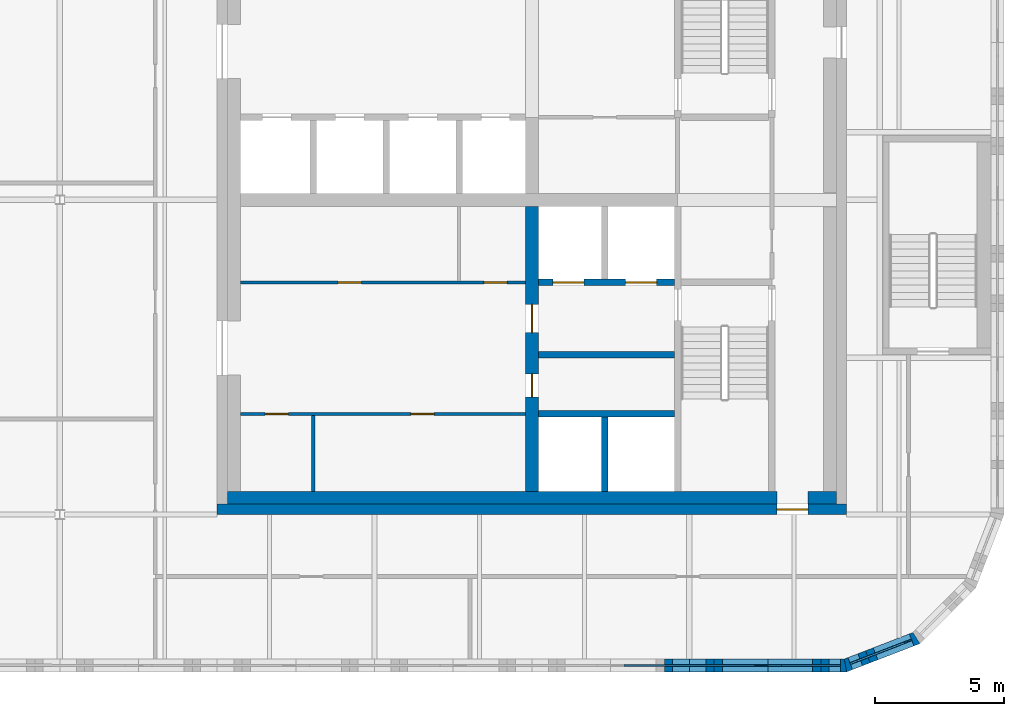
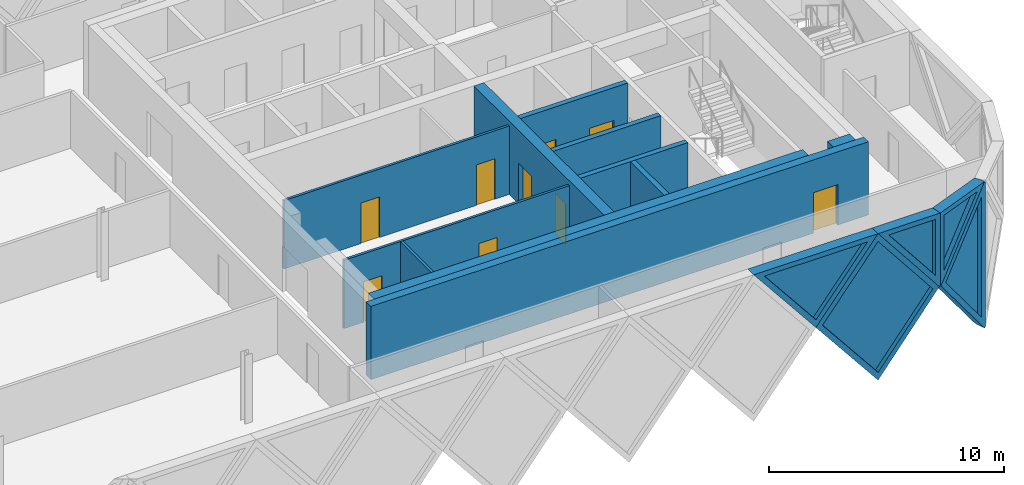
# One storey, part 6 of 12: 16 walls, 9 doors, 5 plates, 14 openings.
"""IFC4 building model written with IfcOpenShell, lengths in metres."""

from ifc_helpers import new_model, si_unit, direction, frame, frame_2d, origin, place, context, subcontext, project, spatial, polyline, rectangle, outline, extrude, faceted_brep, source, transform, mapped, material, layer, layer_set, type_object, element, fill, save


model = new_model("IFC4")

# Units and contexts
model_context = context("Model", 3, precision=1e-05, world=origin(), true_north=direction((0.0, 1.0)))
body_context = subcontext(model_context, "Body", "Model", "MODEL_VIEW")
ifc_project = project(units=[si_unit("LENGTHUNIT", "METRE"), si_unit("AREAUNIT", "SQUARE_METRE"), si_unit("VOLUMEUNIT", "CUBIC_METRE"), si_unit("PLANEANGLEUNIT", "RADIAN"), si_unit("MASSUNIT", "GRAM", prefix="KILO")], contexts=[model_context])

# Site, building, storey
site_placement = place(None, origin())
site = spatial("IfcSite", under=ifc_project, at=site_placement, CompositionType="ELEMENT")
building_placement = place(site_placement, origin())
building = spatial("IfcBuilding", under=site, at=building_placement, Name="Tessera Gate Towers", CompositionType="ELEMENT")
storey_placement = place(building_placement, frame((0.0, 0.0, 255.89990234375)))
storey = spatial("IfcBuildingStorey", under=building, at=storey_placement, Name="L64", CompositionType="ELEMENT", Elevation=255.89990234375)

# Wall, openings, doors
ifc_material_1 = material(Name="Concrete C40/50", Category="concrete")
ifc_layer_1 = layer(ifc_material_1, 0.25)
ifc_layer_set_1 = layer_set([ifc_layer_1], Name="CORE ENCLOSURE WALL 250")
wall_type_1 = type_object("IfcWallType", Name="CORE ENCLOSURE WALL 250", PredefinedType="SOLIDWALL", material=ifc_layer_set_1)
wall_1_placement = place(storey_placement, frame((48.22509765625, 33.39990234375, 0.0), z_axis=(0.0, 0.0, 1.0), x_axis=(-1.0, 0.0, 0.0)))
wall_1 = element("IfcWall", 1, at=wall_1_placement, inside=storey, type_object=wall_type_1, Name="L64 shaft and stair enclosure wall", PredefinedType="SOLIDWALL", context=body_context, shape_type="SweptSolid", body=[
    extrude(rectangle(XDim=5.275146484375, YDim=0.25, at=frame_2d((2.6376953125, 0.0))), origin(), (0.0, 0.0, 1.0), 3.800048828125),
])
shared_shape_1 = source(origin(), body_context, "Body", "SweptSolid", [
    extrude(rectangle(XDim=1.199951171875, YDim=2.10009765625, at=frame_2d((0.60009765625, 1.050048828125))), frame((0.0, 0.135009765625, 0.0), z_axis=(0.0, -1.0, 0.0), x_axis=(1.0, 0.0, 0.0)), (0.0, 0.0, 1.0), 0.27001953125),
])
opening_1_placement = place(wall_1_placement, frame((3.512451171875, 0.0, 0.0)))
opening_1 = element("IfcOpeningElement", 2, at=opening_1_placement, cuts=wall_1, Name="Opening LD-FF1", PredefinedType="OPENING", context=body_context, shape_type="MappedRepresentation", body=[
    mapped(shared_shape_1, transform((0.0, 0.0, 0.0), scale=1.0)),
])
opening_2_placement = place(wall_1_placement, frame((0.6875, 0.0, 0.0)))
opening_2 = element("IfcOpeningElement", 3, at=opening_2_placement, cuts=wall_1, Name="Opening LD-FF2", PredefinedType="OPENING", context=body_context, shape_type="MappedRepresentation", body=[
    mapped(shared_shape_1, transform((0.0, 0.0, 0.0), scale=1.0)),
])
ifc_material_2 = material(Name="Stainless steel", Category="steel")
door_type_1 = type_object("IfcDoorType", Name="CORE DOOR LD1200 1200x2100", OperationType="DOUBLE_DOOR_SLIDING", PredefinedType="DOOR", material=ifc_material_2)
shared_shape_2 = source(origin(), body_context, "Body", "SweptSolid", [
    extrude(rectangle(XDim=1.199951171875, YDim=2.10009765625, at=frame_2d((0.60009765625, 1.050048828125))), frame((0.0, 0.02490234375, 0.0), z_axis=(0.0, -1.0, 0.0), x_axis=(1.0, 0.0, 0.0)), (0.0, 0.0, 1.0), 0.050048828125),
])
door_1_placement = place(opening_1_placement, origin())
door_1 = element("IfcDoor", 4, at=door_1_placement, inside=storey, type_object=door_type_1, Name="Landing door FF1 L64", OperationType="DOUBLE_DOOR_SLIDING", OverallHeight=2.10009765625, OverallWidth=1.199951171875, PredefinedType="DOOR", context=body_context, shape_type="MappedRepresentation", body=[
    mapped(shared_shape_2, transform((0.0, 0.0, 0.0), scale=1.0)),
])
fill(opening_1, door_1)
door_2_placement = place(opening_2_placement, origin())
door_2 = element("IfcDoor", 5, at=door_2_placement, inside=storey, type_object=door_type_1, Name="Landing door FF2 L64", OperationType="DOUBLE_DOOR_SLIDING", OverallHeight=2.10009765625, OverallWidth=1.199951171875, PredefinedType="DOOR", context=body_context, shape_type="MappedRepresentation", body=[
    mapped(shared_shape_2, transform((0.0, 0.0, 0.0), scale=1.0)),
])
fill(opening_2, door_2)

# Walls
for number, where, z_axis, x_axis, name in (
    (6, (42.949951171875, 28.300048828125, 0.0), (0.0, 0.0, 1.0), (1.0, 0.0, 0.0), "L64 shaft and stair enclosure wall"),
    (7, (42.949951171875, 30.60009765625, 0.0), (0.0, 0.0, 1.0), (1.0, 0.0, 0.0), "L64 shaft and stair enclosure wall"),
):
    element("IfcWall", number, at=place(storey_placement, frame(where, z_axis=z_axis, x_axis=x_axis)), inside=storey, type_object=wall_type_1, Name=name, PredefinedType="SOLIDWALL", context=body_context, shape_type="SweptSolid", body=[
        extrude(rectangle(XDim=5.275146484375, YDim=0.25, at=frame_2d((2.6376953125, 0.0))), origin(), (0.0, 0.0, 1.0), 3.800048828125),
    ])
wall_2_placement = place(storey_placement, frame((45.52490234375, 25.300048828125, 0.0), z_axis=(0.0, 0.0, 1.0), x_axis=(0.0, 1.0, 0.0)))
element("IfcWall", 8, at=wall_2_placement, inside=storey, type_object=wall_type_1, Name="L64 shaft and stair enclosure wall", PredefinedType="SOLIDWALL", context=body_context, shape_type="SweptSolid", body=[
    extrude(rectangle(XDim=2.875, YDim=0.25, at=frame_2d((1.4375, 0.0))), origin(), (0.0, 0.0, 1.0), 3.800048828125),
])

# Wall, openings, doors
ifc_material_3 = material(Name="Gypsum board on steel studs", Category="steel")
ifc_layer_2 = layer(ifc_material_3, 0.1201171875)
ifc_layer_set_2 = layer_set([ifc_layer_2], Name="CORE PARTITION 120")
wall_type_2 = type_object("IfcWallType", Name="CORE PARTITION 120", PredefinedType="PARTITIONING", material=ifc_layer_set_2)
wall_3_placement = place(storey_placement, frame((42.449951171875, 28.300048828125, 0.0), z_axis=(0.0, 0.0, 1.0), x_axis=(-1.0, 0.0, 0.0)))
wall_3 = element("IfcWall", 9, at=wall_3_placement, inside=storey, type_object=wall_type_2, Name="L64 core partition", PredefinedType="PARTITIONING", context=body_context, shape_type="SweptSolid", body=[
    extrude(rectangle(XDim=11.050048828125, YDim=0.1201171875, at=frame_2d((5.52490234375, 0.0))), origin(), (0.0, 0.0, 1.0), 3.550048828125),
])
shared_shape_3 = source(origin(), body_context, "Body", "SweptSolid", [
    extrude(rectangle(XDim=0.89990234375, YDim=2.10009765625, at=frame_2d((0.449951171875, 1.050048828125))), frame((0.0, 0.070068359375, 0.0), z_axis=(0.0, -1.0, 0.0), x_axis=(1.0, 0.0, 0.0)), (0.0, 0.0, 1.0), 0.14013671875),
])
opening_3_placement = place(wall_3_placement, frame((9.1875, 0.0, 0.0)))
opening_3 = element("IfcOpeningElement", 10, at=opening_3_placement, cuts=wall_3, Name="Opening RD-T1-38-07", PredefinedType="OPENING", context=body_context, shape_type="MappedRepresentation", body=[
    mapped(shared_shape_3, transform((0.0, 0.0, 0.0), scale=1.0)),
])
opening_4_placement = place(wall_3_placement, frame((3.53759765625, 0.0, 0.0)))
opening_4 = element("IfcOpeningElement", 11, at=opening_4_placement, cuts=wall_3, Name="Opening RD-T1-38-08", PredefinedType="OPENING", context=body_context, shape_type="MappedRepresentation", body=[
    mapped(shared_shape_3, transform((0.0, 0.0, 0.0), scale=1.0)),
])
ifc_material_4 = material(Name="Hollow steel fire door", Category="steel")
door_type_2 = type_object("IfcDoorType", Name="CORE DOOR RD 900x2100", OperationType="NOTDEFINED", PredefinedType="DOOR", material=ifc_material_4)
shared_shape_4 = source(origin(), body_context, "Body", "SweptSolid", [
    extrude(rectangle(XDim=0.89990234375, YDim=2.10009765625, at=frame_2d((0.449951171875, 1.050048828125))), frame((0.0, 0.02490234375, 0.0), z_axis=(0.0, -1.0, 0.0), x_axis=(1.0, 0.0, 0.0)), (0.0, 0.0, 1.0), 0.050048828125),
])
door_3_placement = place(opening_3_placement, origin())
door_3 = element("IfcDoor", 12, at=door_3_placement, inside=storey, type_object=door_type_2, Name="Core room door", OperationType="SINGLE_SWING_RIGHT", OverallHeight=2.10009765625, OverallWidth=0.89990234375, PredefinedType="DOOR", context=body_context, shape_type="MappedRepresentation", body=[
    mapped(shared_shape_4, transform((0.0, 0.0, 0.0), scale=1.0)),
])
fill(opening_3, door_3)
door_4_placement = place(opening_4_placement, origin())
door_4 = element("IfcDoor", 13, at=door_4_placement, inside=storey, type_object=door_type_2, Name="Core room door", OperationType="SINGLE_SWING_LEFT", OverallHeight=2.10009765625, OverallWidth=0.89990234375, PredefinedType="DOOR", context=body_context, shape_type="MappedRepresentation", body=[
    mapped(shared_shape_4, transform((0.0, 0.0, 0.0), scale=1.0)),
])
fill(opening_4, door_4)

wall_4_placement = place(storey_placement, frame((31.39990234375, 33.39990234375, 0.0), z_axis=(0.0, 0.0, 1.0), x_axis=(1.0, 0.0, 0.0)))
wall_4 = element("IfcWall", 14, at=wall_4_placement, inside=storey, type_object=wall_type_2, Name="L64 core partition", PredefinedType="PARTITIONING", context=body_context, shape_type="SweptSolid", body=[
    extrude(rectangle(XDim=11.050048828125, YDim=0.1201171875, at=frame_2d((5.52490234375, 0.0))), origin(), (0.0, 0.0, 1.0), 3.550048828125),
])
opening_5_placement = place(wall_4_placement, frame((3.78759765625, 0.0, 0.0)))
opening_5 = element("IfcOpeningElement", 15, at=opening_5_placement, cuts=wall_4, Name="Opening RD-T1-38-09", PredefinedType="OPENING", context=body_context, shape_type="MappedRepresentation", body=[
    mapped(shared_shape_3, transform((0.0, 0.0, 0.0), scale=1.0)),
])
opening_6_placement = place(wall_4_placement, frame((9.4375, 0.0, 0.0)))
opening_6 = element("IfcOpeningElement", 16, at=opening_6_placement, cuts=wall_4, Name="Opening RD-T1-38-10", PredefinedType="OPENING", context=body_context, shape_type="MappedRepresentation", body=[
    mapped(shared_shape_3, transform((0.0, 0.0, 0.0), scale=1.0)),
])
door_5_placement = place(opening_5_placement, origin())
door_5 = element("IfcDoor", 17, at=door_5_placement, inside=storey, type_object=door_type_2, Name="Core room door", OperationType="SINGLE_SWING_LEFT", OverallHeight=2.10009765625, OverallWidth=0.89990234375, PredefinedType="DOOR", context=body_context, shape_type="MappedRepresentation", body=[
    mapped(shared_shape_4, transform((0.0, 0.0, 0.0), scale=1.0)),
])
fill(opening_5, door_5)
door_6_placement = place(opening_6_placement, origin())
door_6 = element("IfcDoor", 18, at=door_6_placement, inside=storey, type_object=door_type_2, Name="Core room door", OperationType="SINGLE_SWING_RIGHT", OverallHeight=2.10009765625, OverallWidth=0.89990234375, PredefinedType="DOOR", context=body_context, shape_type="MappedRepresentation", body=[
    mapped(shared_shape_4, transform((0.0, 0.0, 0.0), scale=1.0)),
])
fill(opening_6, door_6)

# Wall
wall_5_placement = place(storey_placement, frame((34.22509765625, 25.300048828125, 0.0), z_axis=(0.0, 0.0, 1.0), x_axis=(0.0, 1.0, 0.0)))
element("IfcWall", 19, at=wall_5_placement, inside=storey, type_object=wall_type_2, Name="L64 core partition", PredefinedType="PARTITIONING", context=body_context, shape_type="SweptSolid", body=[
    extrude(rectangle(XDim=2.93994140625, YDim=0.1201171875, at=frame_2d((1.469970703125, 0.0))), origin(), (0.0, 0.0, 1.0), 3.550048828125),
])

# Wall, opening, door
ifc_material_5 = material(Name="Concrete C40/50", Category="concrete")
ifc_layer_3 = layer(ifc_material_5, 0.39990234375)
ifc_layer_set_3 = layer_set([ifc_layer_3], Name="CORE SHEAR WALL 400 C40/50")
wall_type_3 = type_object("IfcWallType", Name="CORE SHEAR WALL 400 C40/50", PredefinedType="SHEAR", material=ifc_layer_set_3)
wall_6_placement = place(storey_placement, frame((54.89990234375, 24.60009765625, 0.0), z_axis=(0.0, 0.0, 1.0), x_axis=(-1.0, 0.0, 0.0)))
wall_6 = element("IfcWall", 20, at=wall_6_placement, inside=storey, type_object=wall_type_3, Name="Core wall S L64", PredefinedType="SHEAR", context=body_context, shape_type="SweptSolid", body=[
    extrude(rectangle(XDim=24.39990234375, YDim=0.39990234375, at=frame_2d((12.199951171875, 0.0))), origin(), (0.0, 0.0, 1.0), 3.800048828125),
])
shared_shape_5 = source(origin(), body_context, "Body", "SweptSolid", [
    extrude(rectangle(XDim=1.199951171875, YDim=2.10009765625, at=frame_2d((0.60009765625, 1.050048828125))), frame((0.0, 0.2099609375, 0.0), z_axis=(0.0, -1.0, 0.0), x_axis=(1.0, 0.0, 0.0)), (0.0, 0.0, 1.0), 0.419921875),
])
opening_7_placement = place(wall_6_placement, frame((1.5, 0.0, 0.0)))
opening_7 = element("IfcOpeningElement", 21, at=opening_7_placement, cuts=wall_6, Name="Opening ED-T1-38-01", PredefinedType="OPENING", context=body_context, shape_type="MappedRepresentation", body=[
    mapped(shared_shape_5, transform((0.0, 0.0, 0.0), scale=1.0)),
])
ifc_material_6 = material(Name="Hollow steel fire door", Category="steel")
door_type_3 = type_object("IfcDoorType", Name="CORE DOOR ED 1200x2100", OperationType="NOTDEFINED", PredefinedType="DOOR", material=ifc_material_6)
door_7_placement = place(opening_7_placement, origin())
door_7 = element("IfcDoor", 22, at=door_7_placement, inside=storey, type_object=door_type_3, Name="Core exit door", OperationType="SINGLE_SWING_LEFT", OverallHeight=2.10009765625, OverallWidth=1.199951171875, PredefinedType="DOOR", context=body_context, shape_type="MappedRepresentation", body=[
    mapped(shared_shape_2, transform((0.0, 0.0, 0.0), scale=1.0)),
])
fill(opening_7, door_7)

# Wall, openings, doors
ifc_material_7 = material(Name="Concrete C40/50", Category="concrete")
ifc_layer_4 = layer(ifc_material_7, 0.5)
ifc_layer_set_4 = layer_set([ifc_layer_4], Name="CORE SPINE WALL 500 C40/50")
wall_type_4 = type_object("IfcWallType", Name="CORE SPINE WALL 500 C40/50", PredefinedType="SHEAR", material=ifc_layer_set_4)
wall_7_placement = place(storey_placement, frame((42.699951171875, 36.35009765625, 0.0), z_axis=(0.0, 0.0, 1.0), x_axis=(0.0, -1.0, 0.0)))
wall_7 = element("IfcWall", 23, at=wall_7_placement, inside=storey, type_object=wall_type_4, Name="Core wall spine L64", PredefinedType="SHEAR", context=body_context, shape_type="SweptSolid", body=[
    extrude(rectangle(XDim=11.050048828125, YDim=0.5, at=frame_2d((5.52490234375, 0.0))), origin(), (0.0, 0.0, 1.0), 3.800048828125),
])
shared_shape_6 = source(origin(), body_context, "Body", "SweptSolid", [
    extrude(rectangle(XDim=0.89990234375, YDim=2.10009765625, at=frame_2d((0.449951171875, 1.050048828125))), frame((0.0, 0.260009765625, 0.0), z_axis=(0.0, -1.0, 0.0), x_axis=(1.0, 0.0, 0.0)), (0.0, 0.0, 1.0), 0.52001953125),
])
opening_8_placement = place(wall_7_placement, frame((6.5, 0.0, 0.0)))
opening_8 = element("IfcOpeningElement", 24, at=opening_8_placement, cuts=wall_7, Name="Opening RD-T1-38-05", PredefinedType="OPENING", context=body_context, shape_type="MappedRepresentation", body=[
    mapped(shared_shape_6, transform((0.0, 0.0, 0.0), scale=1.0)),
])
shared_shape_7 = source(origin(), body_context, "Body", "SweptSolid", [
    extrude(rectangle(XDim=1.10009765625, YDim=2.10009765625, at=frame_2d((0.550048828125, 1.050048828125))), frame((0.0, 0.260009765625, 0.0), z_axis=(0.0, -1.0, 0.0), x_axis=(1.0, 0.0, 0.0)), (0.0, 0.0, 1.0), 0.52001953125),
])
opening_9_placement = place(wall_7_placement, frame((3.800048828125, 0.0, 0.0)))
opening_9 = element("IfcOpeningElement", 25, at=opening_9_placement, cuts=wall_7, Name="Opening FD-T1-38-06", PredefinedType="OPENING", context=body_context, shape_type="MappedRepresentation", body=[
    mapped(shared_shape_7, transform((0.0, 0.0, 0.0), scale=1.0)),
])
door_8_placement = place(opening_8_placement, origin())
door_8 = element("IfcDoor", 26, at=door_8_placement, inside=storey, type_object=door_type_2, Name="Core room door", OperationType="SINGLE_SWING_RIGHT", OverallHeight=2.10009765625, OverallWidth=0.89990234375, PredefinedType="DOOR", context=body_context, shape_type="MappedRepresentation", body=[
    mapped(shared_shape_4, transform((0.0, 0.0, 0.0), scale=1.0)),
])
fill(opening_8, door_8)
ifc_material_8 = material(Name="Hollow steel fire door", Category="steel")
door_type_4 = type_object("IfcDoorType", Name="CORE DOOR FD 1100x2100", OperationType="NOTDEFINED", PredefinedType="DOOR", material=ifc_material_8)
shared_shape_8 = source(origin(), body_context, "Body", "SweptSolid", [
    extrude(rectangle(XDim=1.10009765625, YDim=2.10009765625, at=frame_2d((0.550048828125, 1.050048828125))), frame((0.0, 0.02490234375, 0.0), z_axis=(0.0, -1.0, 0.0), x_axis=(1.0, 0.0, 0.0)), (0.0, 0.0, 1.0), 0.050048828125),
])
door_9_placement = place(opening_9_placement, origin())
door_9 = element("IfcDoor", 27, at=door_9_placement, inside=storey, type_object=door_type_4, Name="Fire-fighting lobby door", OperationType="SINGLE_SWING_LEFT", OverallHeight=2.10009765625, OverallWidth=1.10009765625, PredefinedType="DOOR", context=body_context, shape_type="MappedRepresentation", body=[
    mapped(shared_shape_8, transform((0.0, 0.0, 0.0), scale=1.0)),
])
fill(opening_9, door_9)

# Walls
ifc_material_9 = material(Name="Concrete C40/50", Category="concrete")
ifc_layer_5 = layer(ifc_material_9, 0.5)
ifc_layer_set_5 = layer_set([ifc_layer_5], Name="CORE WALL THICKENING 500")
wall_type_5 = type_object("IfcWallType", Name="CORE WALL THICKENING 500", PredefinedType="SOLIDWALL", material=ifc_layer_set_5)
wall_8_placement = place(storey_placement, frame((30.89990234375, 25.050048828125, 0.0), z_axis=(0.0, 0.0, 1.0), x_axis=(1.0, 0.0, 0.0)))
element("IfcWall", 28, at=wall_8_placement, inside=storey, type_object=wall_type_5, Name="Core wall thickening S L64", PredefinedType="SOLIDWALL", context=body_context, shape_type="SweptSolid", body=[
    extrude(rectangle(XDim=21.300048828125, YDim=0.5, at=frame_2d((10.64990234375, 0.0))), origin(), (0.0, 0.0, 1.0), 3.800048828125),
])
wall_9_placement = place(storey_placement, frame((53.39990234375, 25.050048828125, 0.0), z_axis=(0.0, 0.0, 1.0), x_axis=(1.0, 0.0, 0.0)))
element("IfcWall", 29, at=wall_9_placement, inside=storey, type_object=wall_type_5, Name="Core wall thickening S L64", PredefinedType="SOLIDWALL", context=body_context, shape_type="SweptSolid", body=[
    extrude(rectangle(XDim=1.10009765625, YDim=0.5, at=frame_2d((0.550048828125, 0.0))), origin(), (0.0, 0.0, 1.0), 3.800048828125),
])

# Wall, opening, plate
ifc_material_10 = material(Name="Precast concrete C60/75 white", Category="concrete")
ifc_layer_6 = layer(ifc_material_10, 0.5)
ifc_layer_set_6 = layer_set([ifc_layer_6], Name="TS1 tessera")
wall_type_6 = type_object("IfcWallType", Name="TS1 tessera", PredefinedType="SOLIDWALL", material=ifc_layer_set_6)
shared_shape_9 = source(origin(), body_context, "Body", "Brep", [
    faceted_brep([(3.050048828125, -0.25, 0.0), (6.053466796875, -0.25, 3.7998046875), (3.050048828125, -0.25, 7.599853515625), (0.0, -0.25, 3.7998046875), (0.0, 0.25, 3.7998046875), (3.050048828125, 0.25, 7.599853515625), (6.0068359375, 0.25, 3.858642578125), (6.0068359375, 0.25, 3.740966796875), (3.050048828125, 0.25, 0.0), (6.053466796875, 0.0, 3.7998046875)], [[[0, 1, 2, 3]], [[4, 5, 6, 7, 8]], [[8, 7, 9, 1, 0]], [[6, 5, 2, 1, 9]], [[5, 4, 3, 2]], [[4, 8, 0, 3]], [[9, 7, 6]]]),
])
wall_10_placement = place(storey_placement, frame((48.800048828125, 18.550048828125, -3.7998046875), z_axis=(0.0, 0.0, 1.0), x_axis=(1.0, 0.0, 0.0)))
wall_10 = element("IfcWall", 30, at=wall_10_placement, inside=storey, type_object=wall_type_6, Name="Precast tessera T1 TS1-1130", PredefinedType="SOLIDWALL", context=body_context, shape_type="MappedRepresentation", body=[
    mapped(shared_shape_9, transform((0.0, 0.0, 0.0), scale=1.0)),
])
shared_shape_10 = source(origin(), body_context, "Body", "SweptSolid", [
    extrude(outline(polyline([(3.048583984375, 0.401123046875), (5.73486328125, 3.7998046875), (3.048583984375, 7.19873046875), (0.320556640625, 3.7998046875), (3.048583984375, 0.401123046875)])), frame((0.0, 0.260009765625, 0.0), z_axis=(0.0, -1.0, 0.0), x_axis=(1.0, 0.0, 0.0)), (0.0, 0.0, 1.0), 0.52001953125),
])
opening_10_placement = place(wall_10_placement, origin())
opening_10 = element("IfcOpeningElement", 31, at=opening_10_placement, cuts=wall_10, Name="Opening T1-PL2-2278", PredefinedType="OPENING", context=body_context, shape_type="MappedRepresentation", body=[
    mapped(shared_shape_10, transform((0.0, 0.0, 0.0), scale=1.0)),
])
ifc_material_11 = material(Name="Low-e laminated glass", Category="glass")
ifc_layer_7 = layer(ifc_material_11, 0.06005859375)
ifc_layer_set_7 = layer_set([ifc_layer_7], Name="PL2 rhombic pane")
plate_type_1 = type_object("IfcPlateType", Name="PL2 rhombic pane", PredefinedType="SHEET", material=ifc_layer_set_7)
shared_shape_11 = source(origin(), body_context, "Body", "SweptSolid", [
    extrude(outline(polyline([(3.048583984375, 0.401123046875), (5.73486328125, 3.7998046875), (3.048583984375, 7.19873046875), (0.320556640625, 3.7998046875), (3.048583984375, 0.401123046875)])), frame((0.0, 0.030029296875, 0.0), z_axis=(0.0, -1.0, 0.0), x_axis=(1.0, 0.0, 0.0)), (0.0, 0.0, 1.0), 0.06005859375),
])
plate_1_placement = place(opening_10_placement, origin())
plate_1 = element("IfcPlate", 32, at=plate_1_placement, inside=storey, type_object=plate_type_1, Name="Glass pane T1 PL2-2278", PredefinedType="SHEET", context=body_context, shape_type="MappedRepresentation", body=[
    mapped(shared_shape_11, transform((0.0, 0.0, 0.0), scale=1.0)),
])
fill(opening_10, plate_1)

ifc_material_12 = material(Name="Precast concrete C60/75 white", Category="concrete")
ifc_layer_8 = layer(ifc_material_12, 0.5)
ifc_layer_set_8 = layer_set([ifc_layer_8], Name="TS3 corner tessera")
wall_type_7 = type_object("IfcWallType", Name="TS3 corner tessera", PredefinedType="SOLIDWALL", material=ifc_layer_set_8)
shared_shape_12 = source(origin(), body_context, "Body", "Brep", [
    faceted_brep([(2.950439453125, -0.25, 0.0), (3.00341796875, -0.25, 0.068359375), (3.00341796875, -0.25, 7.531494140625), (2.950439453125, -0.25, 7.599853515625), (0.0, -0.25, 3.7998046875), (0.046630859375, 0.25, 3.85986328125), (2.897705078125, 0.25, 7.53173828125), (2.897705078125, 0.25, 0.068115234375), (0.046630859375, 0.25, 3.73974609375), (2.950439453125, 0.00048828125, 0.0), (2.950439453125, 0.00048828125, 7.599853515625), (0.0, 0.0, 3.7998046875)], [[[0, 1, 2, 3, 4]], [[5, 6, 7, 8]], [[1, 0, 9]], [[10, 3, 2]], [[6, 5, 11, 4, 3, 10]], [[8, 7, 9, 0, 4, 11]], [[8, 11, 5]], [[1, 9, 7, 6, 10, 2]]]),
])
wall_11_placement = place(storey_placement, frame((54.853515625, 18.550048828125, -3.7998046875), z_axis=(0.0, 0.0, 1.0), x_axis=(0.932997369089, 0.359883188373, 0.0)))
wall_11 = element("IfcWall", 33, at=wall_11_placement, inside=storey, type_object=wall_type_7, Name="Precast corner tessera T1 TS3-1449", PredefinedType="SOLIDWALL", context=body_context, shape_type="MappedRepresentation", body=[
    mapped(shared_shape_12, transform((0.0, 0.0, 0.0), scale=1.0)),
])
shared_shape_13 = source(origin(), body_context, "Body", "SweptSolid", [
    extrude(outline(polyline([(2.75048828125, 6.9345703125), (0.31640625, 3.7998046875), (2.75048828125, 0.6650390625), (2.75048828125, 6.9345703125)])), frame((0.0, 0.260009765625, 0.0), z_axis=(0.0, -1.0, 0.0), x_axis=(1.0, 0.0, 0.0)), (0.0, 0.0, 1.0), 0.52001953125),
])
opening_11_placement = place(wall_11_placement, origin())
opening_11 = element("IfcOpeningElement", 34, at=opening_11_placement, cuts=wall_11, Name="Opening T1-PL2-2279", PredefinedType="OPENING", context=body_context, shape_type="MappedRepresentation", body=[
    mapped(shared_shape_13, transform((0.0, 0.0, 0.0), scale=1.0)),
])
shared_shape_14 = source(origin(), body_context, "Body", "SweptSolid", [
    extrude(outline(polyline([(2.75048828125, 6.9345703125), (0.31640625, 3.7998046875), (2.75048828125, 0.6650390625), (2.75048828125, 6.9345703125)])), frame((0.0, 0.030029296875, 0.0), z_axis=(0.0, -1.0, 0.0), x_axis=(1.0, 0.0, 0.0)), (0.0, 0.0, 1.0), 0.06005859375),
])
plate_2_placement = place(opening_11_placement, origin())
plate_2 = element("IfcPlate", 35, at=plate_2_placement, inside=storey, type_object=plate_type_1, Name="Glass pane T1 PL2-2279", PredefinedType="SHEET", context=body_context, shape_type="MappedRepresentation", body=[
    mapped(shared_shape_14, transform((0.0, 0.0, 0.0), scale=1.0)),
])
fill(opening_11, plate_2)

ifc_material_13 = material(Name="Precast concrete C60/75 white", Category="concrete")
ifc_layer_9 = layer(ifc_material_13, 0.5)
ifc_layer_set_9 = layer_set([ifc_layer_9], Name="TS2 half tessera")
wall_type_8 = type_object("IfcWallType", Name="TS2 half tessera", PredefinedType="SOLIDWALL", material=ifc_layer_set_9)
shared_shape_15 = source(origin(), body_context, "Body", "SweptSolid", [
    extrude(outline(polyline([(3.050048828125, 0.0), (6.10009765625, 3.800048828125), (0.0, 3.800048828125), (3.050048828125, 0.0)])), frame((0.0, 0.25, 0.0), z_axis=(0.0, -1.0, 0.0), x_axis=(1.0, 0.0, 0.0)), (0.0, 0.0, 1.0), 0.5),
])
wall_12_placement = place(storey_placement, frame((45.75, 18.550048828125, 0.0), z_axis=(0.0, 0.0, 1.0), x_axis=(1.0, 0.0, 0.0)))
wall_12 = element("IfcWall", 36, at=wall_12_placement, inside=storey, type_object=wall_type_8, Name="Precast half tessera T1 TS2-0304", PredefinedType="SOLIDWALL", context=body_context, shape_type="MappedRepresentation", body=[
    mapped(shared_shape_15, transform((0.0, 0.0, 0.0), scale=1.0)),
])
shared_shape_16 = source(origin(), body_context, "Body", "SweptSolid", [
    extrude(outline(polyline([(3.050048828125, 0.3994140625), (5.578857421875, 3.550048828125), (0.521240234375, 3.550048828125), (3.050048828125, 0.3994140625)])), frame((0.0, 0.260009765625, 0.0), z_axis=(0.0, -1.0, 0.0), x_axis=(1.0, 0.0, 0.0)), (0.0, 0.0, 1.0), 0.52001953125),
])
opening_12_placement = place(wall_12_placement, origin())
opening_12 = element("IfcOpeningElement", 37, at=opening_12_placement, cuts=wall_12, Name="Opening T1-PL1-0616", PredefinedType="OPENING", context=body_context, shape_type="MappedRepresentation", body=[
    mapped(shared_shape_16, transform((0.0, 0.0, 0.0), scale=1.0)),
])
ifc_material_14 = material(Name="Low-e laminated glass", Category="glass")
ifc_layer_10 = layer(ifc_material_14, 0.06005859375)
ifc_layer_set_10 = layer_set([ifc_layer_10], Name="PL1 triangular pane")
plate_type_2 = type_object("IfcPlateType", Name="PL1 triangular pane", PredefinedType="SHEET", material=ifc_layer_set_10)
shared_shape_17 = source(origin(), body_context, "Body", "SweptSolid", [
    extrude(outline(polyline([(3.050048828125, 0.3994140625), (5.578857421875, 3.550048828125), (0.521240234375, 3.550048828125), (3.050048828125, 0.3994140625)])), frame((0.0, 0.030029296875, 0.0), z_axis=(0.0, -1.0, 0.0), x_axis=(1.0, 0.0, 0.0)), (0.0, 0.0, 1.0), 0.06005859375),
])
plate_3_placement = place(opening_12_placement, origin())
plate_3 = element("IfcPlate", 38, at=plate_3_placement, inside=storey, type_object=plate_type_2, Name="Glass pane T1 PL1-0616", PredefinedType="SHEET", context=body_context, shape_type="MappedRepresentation", body=[
    mapped(shared_shape_17, transform((0.0, 0.0, 0.0), scale=1.0)),
])
fill(opening_12, plate_3)

shared_shape_18 = source(origin(), body_context, "Body", "Brep", [
    faceted_brep([(3.00341796875, -0.25, 0.0), (3.050048828125, -0.25, 0.06005859375), (3.050048828125, -0.25, 3.800048828125), (0.0, -0.25, 3.800048828125), (0.0, 0.25, 3.800048828125), (2.956787109375, 0.25, 3.800048828125), (2.956787109375, 0.25, 0.058837890625), (3.00341796875, 0.000244140625, 0.0)], [[[0, 1, 2, 3]], [[4, 5, 6]], [[1, 0, 7]], [[5, 4, 3, 2]], [[4, 6, 7, 0, 3]], [[1, 7, 6, 5, 2]]]),
])
wall_13_placement = place(storey_placement, frame((51.85009765625, 18.550048828125, 0.0), z_axis=(0.0, 0.0, 1.0), x_axis=(1.0, 0.0, 0.0)))
wall_13 = element("IfcWall", 39, at=wall_13_placement, inside=storey, type_object=wall_type_7, Name="Precast corner tessera T1 TS3-1467", PredefinedType="SOLIDWALL", context=body_context, shape_type="MappedRepresentation", body=[
    mapped(shared_shape_18, transform((0.0, 0.0, 0.0), scale=1.0)),
])
shared_shape_19 = source(origin(), body_context, "Body", "SweptSolid", [
    extrude(outline(polyline([(2.803466796875, 3.550048828125), (0.516357421875, 3.550048828125), (2.803466796875, 0.65625), (2.803466796875, 3.550048828125)])), frame((0.0, 0.260009765625, 0.0), z_axis=(0.0, -1.0, 0.0), x_axis=(1.0, 0.0, 0.0)), (0.0, 0.0, 1.0), 0.52001953125),
])
opening_13_placement = place(wall_13_placement, origin())
opening_13 = element("IfcOpeningElement", 40, at=opening_13_placement, cuts=wall_13, Name="Opening T1-PL1-0617", PredefinedType="OPENING", context=body_context, shape_type="MappedRepresentation", body=[
    mapped(shared_shape_19, transform((0.0, 0.0, 0.0), scale=1.0)),
])
shared_shape_20 = source(origin(), body_context, "Body", "SweptSolid", [
    extrude(outline(polyline([(2.803466796875, 3.550048828125), (0.516357421875, 3.550048828125), (2.803466796875, 0.65625), (2.803466796875, 3.550048828125)])), frame((0.0, 0.030029296875, 0.0), z_axis=(0.0, -1.0, 0.0), x_axis=(1.0, 0.0, 0.0)), (0.0, 0.0, 1.0), 0.06005859375),
])
plate_4_placement = place(opening_13_placement, origin())
plate_4 = element("IfcPlate", 41, at=plate_4_placement, inside=storey, type_object=plate_type_2, Name="Glass pane T1 PL1-0617", PredefinedType="SHEET", context=body_context, shape_type="MappedRepresentation", body=[
    mapped(shared_shape_20, transform((0.0, 0.0, 0.0), scale=1.0)),
])
fill(opening_13, plate_4)

shared_shape_21 = source(origin(), body_context, "Body", "Brep", [
    faceted_brep([(0.046630859375, -0.25, 0.0), (2.9970703125, -0.25, 3.800048828125), (0.0, -0.25, 3.800048828125), (0.0, -0.25, 0.058837890625), (0.09326171875, 0.25, 3.800048828125), (2.9443359375, 0.25, 3.800048828125), (2.9443359375, 0.25, 3.73193359375), (0.09326171875, 0.25, 0.06005859375), (2.9970703125, 0.00048828125, 3.800048828125), (0.046630859375, 0.0, 0.0)], [[[0, 1, 2, 3]], [[4, 5, 6, 7]], [[7, 6, 8, 1, 0, 9]], [[5, 4, 2, 1, 8]], [[9, 0, 3]], [[7, 9, 3, 2, 4]], [[6, 5, 8]]]),
])
wall_14_placement = place(storey_placement, frame((54.81005859375, 18.533203125, 0.0), z_axis=(0.0, 0.0, 1.0), x_axis=(0.932990326376, 0.359901446078, 0.0)))
wall_14 = element("IfcWall", 42, at=wall_14_placement, inside=storey, type_object=wall_type_7, Name="Precast corner tessera T1 TS3-1468", PredefinedType="SOLIDWALL", context=body_context, shape_type="MappedRepresentation", body=[
    mapped(shared_shape_21, transform((0.0, 0.0, 0.0), scale=1.0)),
])
shared_shape_22 = source(origin(), body_context, "Body", "SweptSolid", [
    extrude(outline(polyline([(0.24658203125, 0.665283203125), (2.486572265625, 3.550048828125), (0.24658203125, 3.550048828125), (0.24658203125, 0.665283203125)])), frame((0.0, 0.260009765625, 0.0), z_axis=(0.0, -1.0, 0.0), x_axis=(1.0, 0.0, 0.0)), (0.0, 0.0, 1.0), 0.52001953125),
])
opening_14_placement = place(wall_14_placement, origin())
opening_14 = element("IfcOpeningElement", 43, at=opening_14_placement, cuts=wall_14, Name="Opening T1-PL1-0618", PredefinedType="OPENING", context=body_context, shape_type="MappedRepresentation", body=[
    mapped(shared_shape_22, transform((0.0, 0.0, 0.0), scale=1.0)),
])
shared_shape_23 = source(origin(), body_context, "Body", "SweptSolid", [
    extrude(outline(polyline([(0.24658203125, 0.665283203125), (2.486572265625, 3.550048828125), (0.24658203125, 3.550048828125), (0.24658203125, 0.665283203125)])), frame((0.0, 0.030029296875, 0.0), z_axis=(0.0, -1.0, 0.0), x_axis=(1.0, 0.0, 0.0)), (0.0, 0.0, 1.0), 0.06005859375),
])
plate_5_placement = place(opening_14_placement, origin())
plate_5 = element("IfcPlate", 44, at=plate_5_placement, inside=storey, type_object=plate_type_2, Name="Glass pane T1 PL1-0618", PredefinedType="SHEET", context=body_context, shape_type="MappedRepresentation", body=[
    mapped(shared_shape_23, transform((0.0, 0.0, 0.0), scale=1.0)),
])
fill(opening_14, plate_5)

save(model, "model.ifc")
